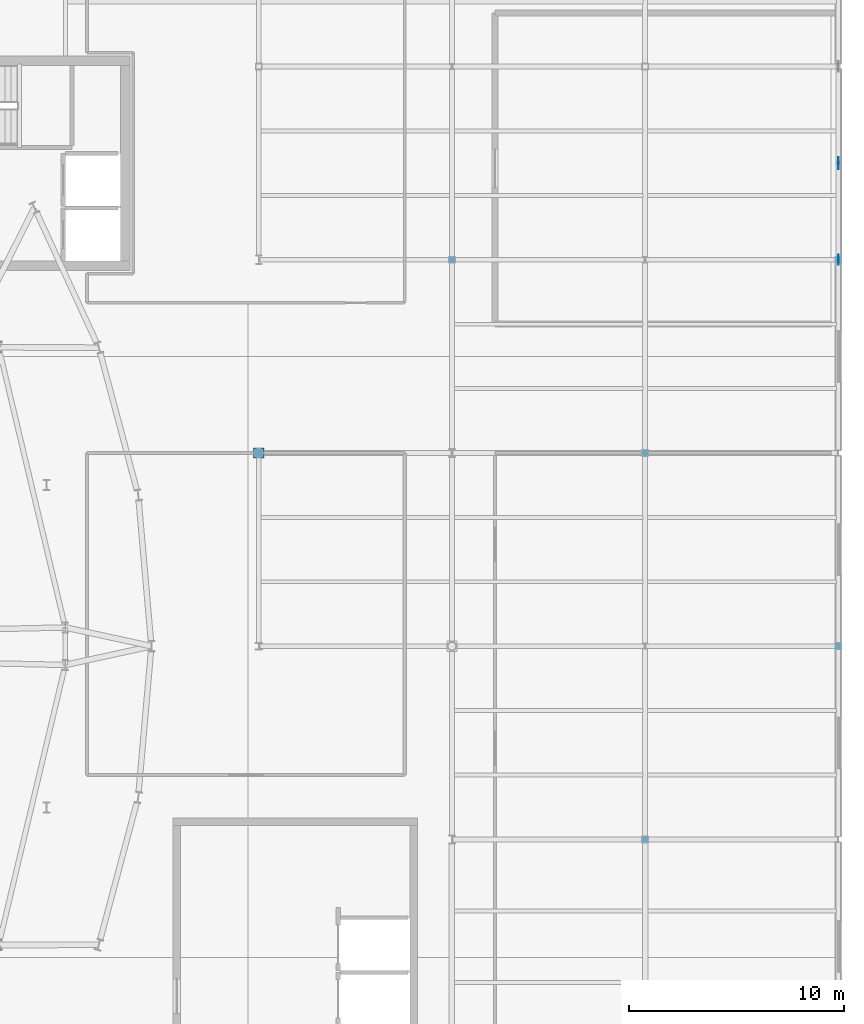
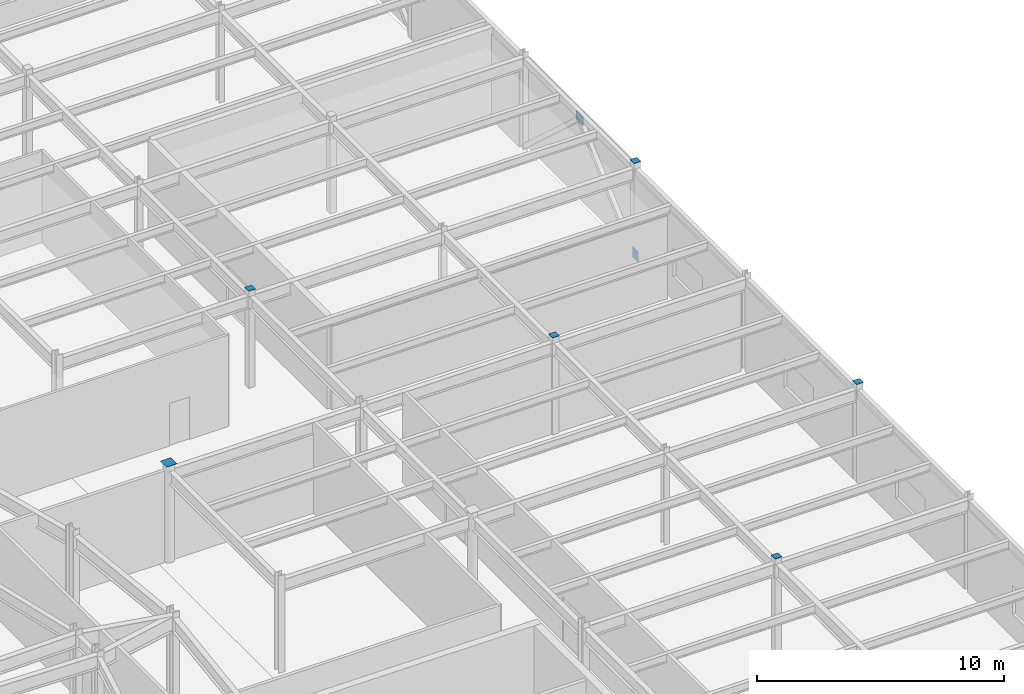
# One storey, part 79 of 86: 8 discrete accessories.
"""IFC4 building model written with IfcOpenShell, lengths in metres."""

from ifc_helpers import new_model, si_unit, direction, frame, origin, origin_2d, place, context, subcontext, project, spatial, rectangle, extrude, material, type_object, element, save


model = new_model("IFC4")

# Units and contexts
model_context = context("Model", 3, precision=1e-05, world=origin(), true_north=direction((0.0, 1.0)))
body_context = subcontext(model_context, "Body", "Model", "MODEL_VIEW")
ifc_project = project(units=[si_unit("LENGTHUNIT", "METRE"), si_unit("AREAUNIT", "SQUARE_METRE"), si_unit("VOLUMEUNIT", "CUBIC_METRE"), si_unit("PLANEANGLEUNIT", "RADIAN"), si_unit("MASSUNIT", "GRAM", prefix="KILO")], contexts=[model_context])

# Site, building, storey
site_placement = place(None, origin())
site = spatial("IfcSite", under=ifc_project, at=site_placement, CompositionType="ELEMENT")
building_placement = place(site_placement, origin())
building = spatial("IfcBuilding", under=site, at=building_placement, Name="Glasvene Arena", CompositionType="ELEMENT")
storey_placement = place(building_placement, frame((0.0, 0.0, 5.39990234375)))
storey = spatial("IfcBuildingStorey", under=building, at=storey_placement, Name="L01", CompositionType="ELEMENT", Elevation=5.39990234375)

# Discrete accessories
ifc_material = material(Name="Steel S355J2", Category="steel")
discrete_accessory_type_1 = type_object("IfcDiscreteAccessoryType", Name="ACC-BRACE-GP20", PredefinedType="BRACKET", material=ifc_material)
discrete_accessory_1_placement = place(storey_placement, frame((174.0, 91.0, -0.06982421875), z_axis=(0.0, 0.0, 1.0), x_axis=(1.0, 0.0, 0.0)))
element("IfcDiscreteAccessory", 1, at=discrete_accessory_1_placement, inside=storey, type_object=discrete_accessory_type_1, Name="Chevron brace base gusset plate L01-003-A", PredefinedType="BRACKET", context=body_context, shape_type="SweptSolid", body=[
    extrude(rectangle(XDim=0.02001953125, YDim=0.47998046875, at=origin_2d()), origin(), (0.0, 0.0, 1.0), 0.47998046875),
])
discrete_accessory_2_placement = place(storey_placement, frame((174.0, 95.5, 3.93017578125), z_axis=(0.0, 0.0, 1.0), x_axis=(1.0, 0.0, 0.0)))
element("IfcDiscreteAccessory", 2, at=discrete_accessory_2_placement, inside=storey, type_object=discrete_accessory_type_1, Name="Chevron brace apex gusset plate L01-004", PredefinedType="BRACKET", context=body_context, shape_type="SweptSolid", body=[
    extrude(rectangle(XDim=0.02001953125, YDim=0.56005859375, at=origin_2d()), origin(), (0.0, 0.0, 1.0), 0.47998046875),
])
discrete_accessory_type_2 = type_object("IfcDiscreteAccessoryType", Name="ACC-CAP-CHS420", PredefinedType="USERDEFINED", material=ifc_material)
discrete_accessory_3_placement = place(storey_placement, frame((147.0, 82.0, 4.798095703125), z_axis=(0.0, 0.0, 1.0), x_axis=(1.0, 0.0, 0.0)))
element("IfcDiscreteAccessory", 3, at=discrete_accessory_3_placement, inside=storey, type_object=discrete_accessory_type_2, Name="Hollow column top cap plate 17-10 L01", ObjectType="CAP PLATE", PredefinedType="USERDEFINED", context=body_context, shape_type="SweptSolid", body=[
    extrude(rectangle(XDim=0.47998046875, YDim=0.47998046875, at=origin_2d()), origin(), (0.0, 0.0, 1.0), 0.02001953125),
])
discrete_accessory_type_3 = type_object("IfcDiscreteAccessoryType", Name="ACC-CAP-SHS320", PredefinedType="USERDEFINED", material=ifc_material)
for number, where, z_axis, x_axis, name in (
    (4, (156.0, 91.0, 4.798095703125), (0.0, 0.0, 1.0), (1.0, 0.0, 0.0), "Hollow column top cap plate 18-11 L01"),
    (5, (165.0, 64.0, 4.798095703125), (0.0, 0.0, 1.0), (1.0, 0.0, 0.0), "Hollow column top cap plate 19-8 L01"),
    (6, (165.0, 82.0, 4.798095703125), (0.0, 0.0, 1.0), (1.0, 0.0, 0.0), "Hollow column top cap plate 19-10 L01"),
    (7, (174.0, 73.0, 4.798095703125), (0.0, 0.0, 1.0), (1.0, 0.0, 0.0), "Hollow column top cap plate 20-9 L01"),
    (8, (174.0, 91.0, 4.798095703125), (0.0, 0.0, 1.0), (1.0, 0.0, 0.0), "Hollow column top cap plate 20-11 L01"),
):
    element("IfcDiscreteAccessory", number, at=place(storey_placement, frame(where, z_axis=z_axis, x_axis=x_axis)), inside=storey, type_object=discrete_accessory_type_3, Name=name, ObjectType="CAP PLATE", PredefinedType="USERDEFINED", context=body_context, shape_type="SweptSolid", body=[
        extrude(rectangle(XDim=0.320068359375, YDim=0.320068359375, at=origin_2d()), origin(), (0.0, 0.0, 1.0), 0.02001953125),
    ])

save(model, "model.ifc")
